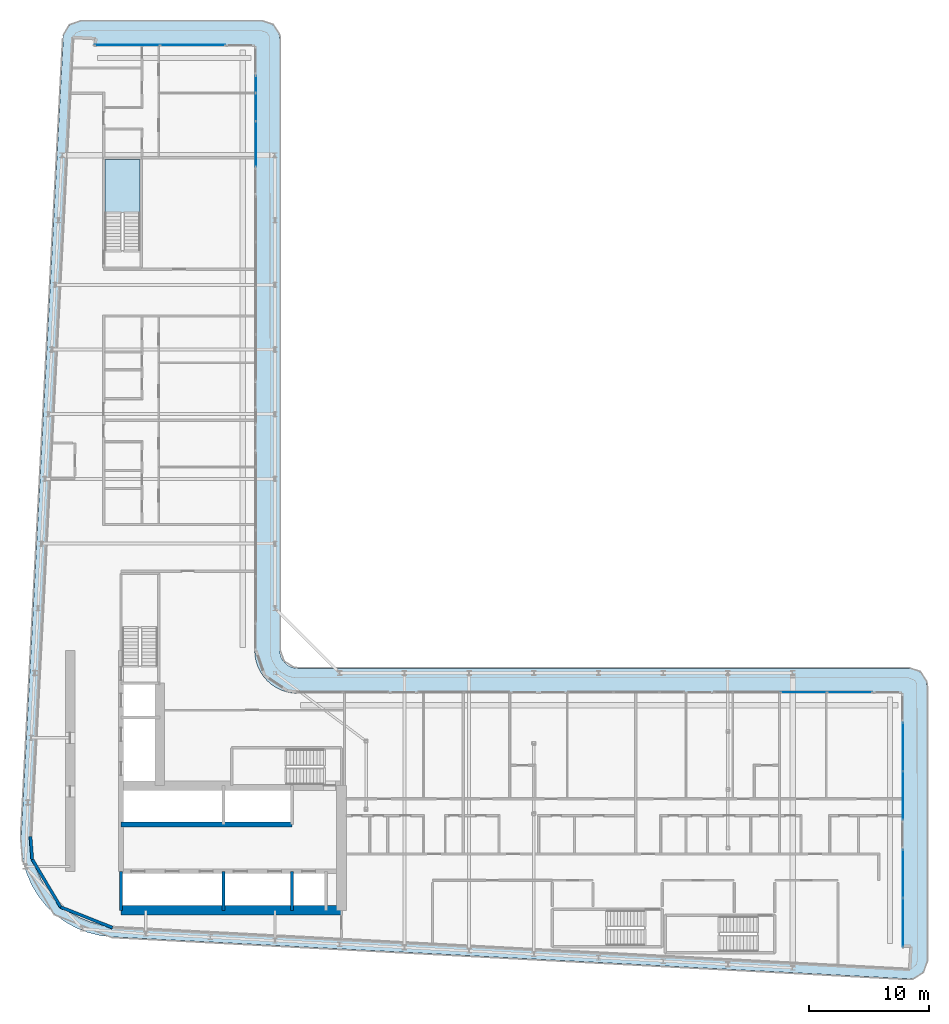
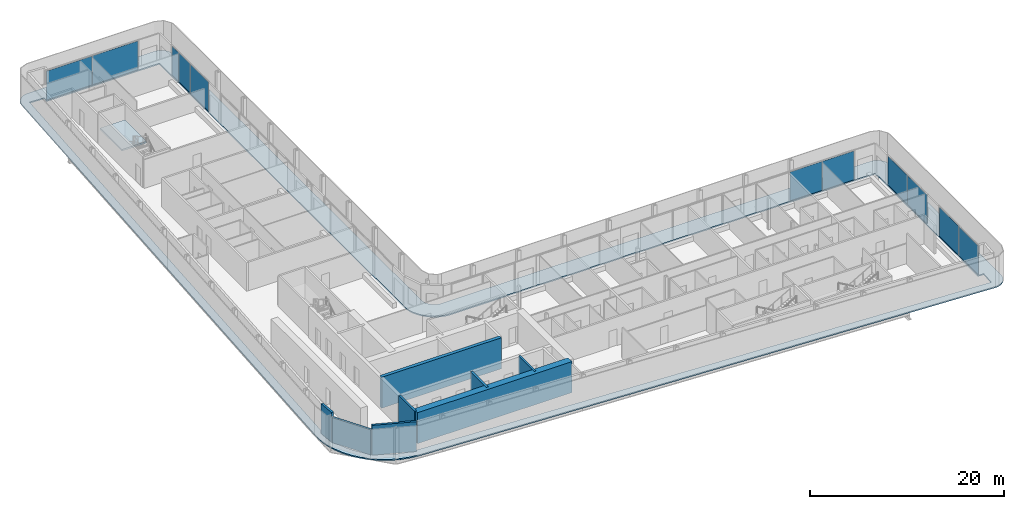
# One storey, part 14 of 29: 11 plates, 8 walls, 2 slabs, 6 elements without a shape of their own.
"""IFC4 building model written with IfcOpenShell, lengths in metres."""

from ifc_helpers import new_model, si_unit, direction, frame, frame_2d, origin, origin_2d, place, context, subcontext, project, spatial, polyline, rectangle, outline, extrude, material, layer, layer_set, type_object, element, aggregate, save


model = new_model("IFC4")

# Units and contexts
model_context = context("Model", 3, precision=1e-05, world=origin(), true_north=direction((0.0, 1.0)))
body_context = subcontext(model_context, "Body", "Model", "MODEL_VIEW")
ifc_project = project(units=[si_unit("LENGTHUNIT", "METRE"), si_unit("AREAUNIT", "SQUARE_METRE"), si_unit("VOLUMEUNIT", "CUBIC_METRE"), si_unit("PLANEANGLEUNIT", "RADIAN"), si_unit("MASSUNIT", "GRAM", prefix="KILO")], contexts=[model_context])

# Site, building, storey
site_placement = place(None, origin())
site = spatial("IfcSite", under=ifc_project, at=site_placement, CompositionType="ELEMENT")
building_placement = place(site_placement, origin())
building = spatial("IfcBuilding", under=site, at=building_placement, Name="Kheshtan School and Residences Tower", CompositionType="ELEMENT")
storey_placement = place(building_placement, frame((0.0, 0.0, 179.89990234375)))
storey = spatial("IfcBuildingStorey", under=building, at=storey_placement, Name="L42", CompositionType="ELEMENT", Elevation=179.89990234375)

# Curtain wall, plates
ifc_material_1 = material(Name="Clear low-e glass in thermally broken aluminium frame", Category="aluminium")
ifc_layer_1 = layer(ifc_material_1, 0.199951171875)
ifc_layer_set_1 = layer_set([ifc_layer_1], Name="Curtain wall CW-L")
curtain_wall_type = type_object("IfcCurtainWallType", Name="Curtain wall CW-L", PredefinedType="NOTDEFINED", material=ifc_layer_set_1)
curtain_wall_1_placement = place(storey_placement, origin())
curtain_wall_1 = element("IfcCurtainWall", 1, at=curtain_wall_1_placement, inside=storey, type_object=curtain_wall_type, Name="Curtain wall CWL7", PredefinedType="NOTDEFINED")
ifc_layer_2 = layer(ifc_material_1, 0.031982421875)
ifc_layer_set_2 = layer_set([ifc_layer_2], Name="CW-L glass panel")
plate_type = type_object("IfcPlateType", Name="CW-L glass panel", PredefinedType="CURTAIN_PANEL", material=ifc_layer_set_2)
plate_1_placement = place(storey_placement, frame((35.259033203125, 98.0, 0.000244140625), z_axis=(0.0, 0.0, 1.0), x_axis=(1.0, 0.0, 0.0)))
plate_1 = element("IfcPlate", 2, at=plate_1_placement, type_object=plate_type, Name="CWL7 panel 1.1", PredefinedType="CURTAIN_PANEL", context=body_context, shape_type="SweptSolid", body=[
    extrude(rectangle(XDim=5.4140625, YDim=0.031982421875, at=origin_2d()), origin(), (0.0, 0.0, 1.0), 3.6298828125),
])
plate_2_placement = place(storey_placement, frame((40.73291015625, 98.0, 0.000244140625), z_axis=(0.0, 0.0, 1.0), x_axis=(1.0, 0.0, 0.0)))
plate_2 = element("IfcPlate", 3, at=plate_2_placement, type_object=plate_type, Name="CWL7 panel 2.1", PredefinedType="CURTAIN_PANEL", context=body_context, shape_type="SweptSolid", body=[
    extrude(rectangle(XDim=5.4140625, YDim=0.031982421875, at=origin_2d()), origin(), (0.0, 0.0, 1.0), 3.6298828125),
])
aggregate(curtain_wall_1, [plate_1, plate_2])

curtain_wall_2_placement = place(storey_placement, origin())
curtain_wall_2 = element("IfcCurtainWall", 4, at=curtain_wall_2_placement, inside=storey, type_object=curtain_wall_type, Name="Curtain wall CWL8c", PredefinedType="NOTDEFINED")
plate_3_placement = place(storey_placement, frame((46.0, 94.735107421875, 0.000244140625), z_axis=(0.0, 0.0, 1.0), x_axis=(0.0, -1.0, 0.0)))
plate_3 = element("IfcPlate", 5, at=plate_3_placement, type_object=plate_type, Name="CWL8c panel 1.1", PredefinedType="CURTAIN_PANEL", context=body_context, shape_type="SweptSolid", body=[
    extrude(rectangle(XDim=1.409912109375, YDim=0.031982421875, at=origin_2d()), origin(), (0.0, 0.0, 1.0), 3.6298828125),
])
plate_4_placement = place(storey_placement, frame((46.0, 92.826416015625, 0.000244140625), z_axis=(0.0, 0.0, 1.0), x_axis=(0.0, -1.0, 0.0)))
plate_4 = element("IfcPlate", 6, at=plate_4_placement, type_object=plate_type, Name="CWL8c panel 2.1", PredefinedType="CURTAIN_PANEL", context=body_context, shape_type="SweptSolid", body=[
    extrude(rectangle(XDim=2.287109375, YDim=0.031982421875, at=origin_2d()), origin(), (0.0, 0.0, 1.0), 3.6298828125),
])
plate_5_placement = place(storey_placement, frame((46.0, 89.744384765625, 0.000244140625), z_axis=(0.0, 0.0, 1.0), x_axis=(0.0, -1.0, 0.0)))
plate_5 = element("IfcPlate", 7, at=plate_5_placement, type_object=plate_type, Name="CWL8c panel 3.1", PredefinedType="CURTAIN_PANEL", context=body_context, shape_type="SweptSolid", body=[
    extrude(rectangle(XDim=3.757080078125, YDim=0.031982421875, at=origin_2d()), origin(), (0.0, 0.0, 1.0), 3.6298828125),
])
aggregate(curtain_wall_2, [plate_3, plate_4, plate_5])

curtain_wall_3_placement = place(storey_placement, origin())
curtain_wall_3 = element("IfcCurtainWall", 8, at=curtain_wall_3_placement, inside=storey, type_object=curtain_wall_type, Name="Curtain wall CWL12j", PredefinedType="NOTDEFINED")
plate_6_placement = place(storey_placement, frame((91.714599609375, 44.0, 0.000244140625), z_axis=(0.0, 0.0, 1.0), x_axis=(1.0, 0.0, 0.0)))
plate_6 = element("IfcPlate", 9, at=plate_6_placement, type_object=plate_type, Name="CWL12j panel 1.1", PredefinedType="CURTAIN_PANEL", context=body_context, shape_type="SweptSolid", body=[
    extrude(rectangle(XDim=3.81689453125, YDim=0.031982421875, at=origin_2d()), origin(), (0.0, 0.0, 1.0), 3.6298828125),
])
plate_7_placement = place(storey_placement, frame((95.5615234375, 44.0, 0.000244140625), z_axis=(0.0, 0.0, 1.0), x_axis=(1.0, 0.0, 0.0)))
plate_7 = element("IfcPlate", 10, at=plate_7_placement, type_object=plate_type, Name="CWL12j panel 2.1", PredefinedType="CURTAIN_PANEL", context=body_context, shape_type="SweptSolid", body=[
    extrude(rectangle(XDim=3.757080078125, YDim=0.031982421875, at=origin_2d()), origin(), (0.0, 0.0, 1.0), 3.6298828125),
])
aggregate(curtain_wall_3, [plate_6, plate_7])

curtain_wall_4_placement = place(storey_placement, origin())
curtain_wall_4 = element("IfcCurtainWall", 11, at=curtain_wall_4_placement, inside=storey, type_object=curtain_wall_type, Name="Curtain wall CWL13b", PredefinedType="NOTDEFINED")
plate_8_placement = place(storey_placement, frame((100.0, 39.436767578125, 0.000244140625), z_axis=(0.0, 0.0, 1.0), x_axis=(0.0, -1.0, 0.0)))
plate_8 = element("IfcPlate", 12, at=plate_8_placement, type_object=plate_type, Name="CWL13b panel 1.1", PredefinedType="CURTAIN_PANEL", context=body_context, shape_type="SweptSolid", body=[
    extrude(rectangle(XDim=4.006591796875, YDim=0.031982421875, at=origin_2d()), origin(), (0.0, 0.0, 1.0), 3.6298828125),
])
plate_9_placement = place(storey_placement, frame((100.0, 35.370361328125, 0.000244140625), z_axis=(0.0, 0.0, 1.0), x_axis=(0.0, -1.0, 0.0)))
plate_9 = element("IfcPlate", 13, at=plate_9_placement, type_object=plate_type, Name="CWL13b panel 2.1", PredefinedType="CURTAIN_PANEL", context=body_context, shape_type="SweptSolid", body=[
    extrude(rectangle(XDim=4.006591796875, YDim=0.031982421875, at=origin_2d()), origin(), (0.0, 0.0, 1.0), 3.6298828125),
])
aggregate(curtain_wall_4, [plate_8, plate_9])

curtain_wall_5_placement = place(storey_placement, origin())
curtain_wall_5 = element("IfcCurtainWall", 14, at=curtain_wall_5_placement, inside=storey, type_object=curtain_wall_type, Name="Curtain wall CWL13b", PredefinedType="NOTDEFINED")
plate_10_placement = place(storey_placement, frame((100.0, 28.84375, 0.000244140625), z_axis=(0.0, 0.0, 1.0), x_axis=(0.0, -1.0, 0.0)))
plate_10 = element("IfcPlate", 15, at=plate_10_placement, type_object=plate_type, Name="CWL13b panel 1.1", PredefinedType="CURTAIN_PANEL", context=body_context, shape_type="SweptSolid", body=[
    extrude(rectangle(XDim=4.006591796875, YDim=0.031982421875, at=origin_2d()), origin(), (0.0, 0.0, 1.0), 3.6298828125),
])
plate_11_placement = place(storey_placement, frame((100.0, 24.77734375, 0.000244140625), z_axis=(0.0, 0.0, 1.0), x_axis=(0.0, -1.0, 0.0)))
plate_11 = element("IfcPlate", 16, at=plate_11_placement, type_object=plate_type, Name="CWL13b panel 2.1", PredefinedType="CURTAIN_PANEL", context=body_context, shape_type="SweptSolid", body=[
    extrude(rectangle(XDim=4.006591796875, YDim=0.031982421875, at=origin_2d()), origin(), (0.0, 0.0, 1.0), 3.6298828125),
])
aggregate(curtain_wall_5, [plate_10, plate_11])

# Slab
ifc_material_2 = material(Name="Concrete C40/50", Category="concrete")
ifc_layer_3 = layer(ifc_material_2, 0.14990234375)
ifc_layer_set_3 = layer_set([ifc_layer_3], Name="Loggia balcony slab 150 Concrete C40/50")
slab_type_1 = type_object("IfcSlabType", Name="Loggia balcony slab 150 Concrete C40/50", PredefinedType="FLOOR", material=ifc_layer_set_3)
slab_1_placement = place(storey_placement, frame((0.0, 0.0, -0.14990234375)))
element("IfcSlab", 17, at=slab_1_placement, inside=storey, type_object=slab_type_1, Name="Loggia balcony slab L42", PredefinedType="FLOOR", context=body_context, shape_type="SweptSolid", body=[
    extrude(outline(polyline([(28.4580078125, 26.222900390625), (28.45703125, 26.222900390625), (28.45703125, 26.22412109375), (28.4560546875, 26.22412109375), (27.81494140625, 27.0390625), (27.281005859375, 27.93798828125), (26.867919921875, 28.89990234375), (26.583984375, 29.89990234375), (26.583984375, 29.906982421875), (26.43408203125, 30.943115234375), (26.419921875, 31.989013671875), (29.925048828125, 98.5791015625), (29.930908203125, 98.626953125), (29.930908203125, 98.6279296875), (29.929931640625, 98.6279296875), (29.929931640625, 98.62890625), (29.928955078125, 98.62890625), (29.928955078125, 98.6298828125), (29.927978515625, 98.6298828125), (29.927978515625, 98.631103515625), (29.927001953125, 98.631103515625), (29.927001953125, 98.632080078125), (29.927001953125, 98.633056640625), (29.945068359375, 98.781005859375), (29.945068359375, 98.783935546875), (29.945068359375, 98.784912109375), (29.946044921875, 98.784912109375), (29.946044921875, 98.785888671875), (29.947021484375, 98.785888671875), (29.947021484375, 98.787109375), (29.947998046875, 98.787109375), (29.948974609375, 98.787109375), (29.948974609375, 98.7880859375), (29.949951171875, 98.7880859375), (29.949951171875, 98.7890625), (29.949951171875, 98.791015625), (30.0029296875, 98.98388671875), (30.083984375, 99.175048828125), (30.18896484375, 99.35302734375), (30.31103515625, 99.507080078125), (30.31201171875, 99.507080078125), (30.31201171875, 99.508056640625), (30.31298828125, 99.508056640625), (30.31298828125, 99.509033203125), (30.31396484375, 99.509033203125), (30.31396484375, 99.510009765625), (30.31494140625, 99.510009765625), (30.31494140625, 99.510986328125), (30.31591796875, 99.510986328125), (30.31591796875, 99.511962890625), (30.31689453125, 99.511962890625), (30.31689453125, 99.512939453125), (30.318115234375, 99.512939453125), (30.320068359375, 99.512939453125), (30.321044921875, 99.512939453125), (30.321044921875, 99.513916015625), (30.468017578125, 99.656982421875), (30.468994140625, 99.656982421875), (30.468994140625, 99.657958984375), (30.469970703125, 99.657958984375), (30.469970703125, 99.658935546875), (30.470947265625, 99.658935546875), (30.470947265625, 99.659912109375), (30.471923828125, 99.659912109375), (30.471923828125, 99.660888671875), (30.472900390625, 99.660888671875), (30.472900390625, 99.662109375), (30.47412109375, 99.662109375), (30.47412109375, 99.6630859375), (30.47509765625, 99.6630859375), (30.47509765625, 99.6640625), (30.635986328125, 99.777099609375), (30.820068359375, 99.873046875), (31.007080078125, 99.943115234375), (31.013916015625, 99.943115234375), (31.217041015625, 99.986083984375), (31.423095703125, 100.0), (46.5, 100.0), (46.696044921875, 99.987060546875), (46.887939453125, 99.948974609375), (46.89501953125, 99.948974609375), (47.073974609375, 99.885986328125), (47.243896484375, 99.801025390625), (47.2451171875, 99.801025390625), (47.2470703125, 99.801025390625), (47.248046875, 99.801025390625), (47.248046875, 99.802001953125), (47.2490234375, 99.802001953125), (47.2490234375, 99.802978515625), (47.25, 99.802978515625), (47.2529296875, 99.802978515625), (47.25390625, 99.802978515625), (47.25390625, 99.802001953125), (47.2548828125, 99.802001953125), (47.2548828125, 99.801025390625), (47.256103515625, 99.801025390625), (47.256103515625, 99.800048828125), (47.257080078125, 99.800048828125), (47.257080078125, 99.799072265625), (47.258056640625, 99.799072265625), (47.258056640625, 99.798095703125), (47.412109375, 99.696044921875), (47.4130859375, 99.696044921875), (47.4130859375, 99.695068359375), (47.4140625, 99.695068359375), (47.4140625, 99.694091796875), (47.4140625, 99.68994140625), (47.4140625, 99.68896484375), (47.4150390625, 99.68896484375), (47.4150390625, 99.68798828125), (47.416015625, 99.68798828125), (47.416015625, 99.68701171875), (47.4169921875, 99.68701171875), (47.4169921875, 99.68603515625), (47.554931640625, 99.568115234375), (47.554931640625, 99.56689453125), (47.555908203125, 99.56689453125), (47.555908203125, 99.56591796875), (47.556884765625, 99.56591796875), (47.556884765625, 99.56494140625), (47.55810546875, 99.56494140625), (47.55810546875, 99.56396484375), (47.55908203125, 99.56396484375), (47.55908203125, 99.56298828125), (47.56005859375, 99.56298828125), (47.56005859375, 99.56201171875), (47.56103515625, 99.56201171875), (47.56201171875, 99.56103515625), (47.56201171875, 99.56005859375), (47.56298828125, 99.56005859375), (47.56298828125, 99.55908203125), (47.56396484375, 99.55908203125), (47.56396484375, 99.55810546875), (47.56494140625, 99.55810546875), (47.56494140625, 99.556884765625), (47.56591796875, 99.556884765625), (47.56591796875, 99.555908203125), (47.56689453125, 99.555908203125), (47.56689453125, 99.554931640625), (47.568115234375, 99.554931640625), (47.68505859375, 99.41796875), (47.68603515625, 99.41796875), (47.68603515625, 99.4169921875), (47.68701171875, 99.4169921875), (47.68701171875, 99.416015625), (47.68798828125, 99.416015625), (47.68798828125, 99.4150390625), (47.68896484375, 99.4150390625), (47.68896484375, 99.4140625), (47.68994140625, 99.4140625), (47.694091796875, 99.4140625), (47.695068359375, 99.4140625), (47.695068359375, 99.4130859375), (47.696044921875, 99.4130859375), (47.696044921875, 99.412109375), (47.797119140625, 99.259033203125), (47.798095703125, 99.259033203125), (47.798095703125, 99.258056640625), (47.799072265625, 99.258056640625), (47.799072265625, 99.257080078125), (47.800048828125, 99.257080078125), (47.800048828125, 99.256103515625), (47.801025390625, 99.256103515625), (47.801025390625, 99.2548828125), (47.802001953125, 99.2548828125), (47.802001953125, 99.25390625), (47.802978515625, 99.25390625), (47.802978515625, 99.2529296875), (47.802978515625, 99.25), (47.802978515625, 99.2490234375), (47.802001953125, 99.2490234375), (47.802001953125, 99.248046875), (47.801025390625, 99.248046875), (47.801025390625, 99.2470703125), (47.801025390625, 99.243896484375), (47.801025390625, 99.242919921875), (47.885986328125, 99.073974609375), (47.948974609375, 98.89501953125), (47.948974609375, 98.887939453125), (47.987060546875, 98.696044921875), (48.0, 98.5), (48.0, 47.5), (48.012939453125, 47.303955078125), (48.051025390625, 47.113037109375), (48.051025390625, 47.10693359375), (48.051025390625, 47.10595703125), (48.114013671875, 46.926025390625), (48.200927734375, 46.75), (48.31005859375, 46.5869140625), (48.431884765625, 46.444091796875), (48.43310546875, 46.444091796875), (48.43310546875, 46.443115234375), (48.43408203125, 46.443115234375), (48.43408203125, 46.44189453125), (48.43505859375, 46.44189453125), (48.43505859375, 46.44091796875), (48.43603515625, 46.44091796875), (48.43603515625, 46.43994140625), (48.43701171875, 46.43994140625), (48.43701171875, 46.43896484375), (48.43798828125, 46.43896484375), (48.43896484375, 46.43798828125), (48.43896484375, 46.43701171875), (48.43994140625, 46.43701171875), (48.43994140625, 46.43603515625), (48.44091796875, 46.43603515625), (48.44091796875, 46.43505859375), (48.44189453125, 46.43505859375), (48.44189453125, 46.43408203125), (48.443115234375, 46.43408203125), (48.443115234375, 46.43310546875), (48.444091796875, 46.43310546875), (48.444091796875, 46.431884765625), (48.5869140625, 46.31005859375), (48.75, 46.200927734375), (48.926025390625, 46.114013671875), (49.10595703125, 46.051025390625), (49.10693359375, 46.051025390625), (49.113037109375, 46.051025390625), (49.303955078125, 46.012939453125), (49.5, 46.0), (100.5, 46.0), (100.696044921875, 45.987060546875), (100.887939453125, 45.948974609375), (100.89501953125, 45.948974609375), (101.073974609375, 45.885986328125), (101.241943359375, 45.801025390625), (101.242919921875, 45.801025390625), (101.2470703125, 45.801025390625), (101.248046875, 45.801025390625), (101.248046875, 45.802001953125), (101.2490234375, 45.802001953125), (101.2490234375, 45.802978515625), (101.25, 45.802978515625), (101.2529296875, 45.802978515625), (101.25390625, 45.802978515625), (101.25390625, 45.802001953125), (101.2548828125, 45.802001953125), (101.2548828125, 45.801025390625), (101.256103515625, 45.801025390625), (101.256103515625, 45.800048828125), (101.257080078125, 45.800048828125), (101.257080078125, 45.799072265625), (101.258056640625, 45.799072265625), (101.258056640625, 45.798095703125), (101.259033203125, 45.798095703125), (101.259033203125, 45.797119140625), (101.260009765625, 45.797119140625), (101.260009765625, 45.7958984375), (101.412109375, 45.696044921875), (101.4130859375, 45.696044921875), (101.4130859375, 45.695068359375), (101.4140625, 45.695068359375), (101.4140625, 45.694091796875), (101.4140625, 45.68994140625), (101.4140625, 45.68896484375), (101.4150390625, 45.68896484375), (101.4150390625, 45.68798828125), (101.416015625, 45.68798828125), (101.416015625, 45.68701171875), (101.4169921875, 45.68701171875), (101.4169921875, 45.68603515625), (101.41796875, 45.68603515625), (101.41796875, 45.68505859375), (101.4189453125, 45.68505859375), (101.4189453125, 45.68408203125), (101.554931640625, 45.568115234375), (101.554931640625, 45.56689453125), (101.555908203125, 45.56689453125), (101.555908203125, 45.56591796875), (101.556884765625, 45.56591796875), (101.556884765625, 45.56494140625), (101.55810546875, 45.56494140625), (101.55810546875, 45.56396484375), (101.55908203125, 45.56396484375), (101.55908203125, 45.56298828125), (101.56005859375, 45.56298828125), (101.56005859375, 45.56201171875), (101.56103515625, 45.56201171875), (101.56201171875, 45.56103515625), (101.56201171875, 45.56005859375), (101.56298828125, 45.56005859375), (101.56298828125, 45.55908203125), (101.56396484375, 45.55908203125), (101.56396484375, 45.55810546875), (101.56494140625, 45.55810546875), (101.56494140625, 45.556884765625), (101.56591796875, 45.556884765625), (101.56591796875, 45.555908203125), (101.56689453125, 45.555908203125), (101.56689453125, 45.554931640625), (101.568115234375, 45.554931640625), (101.681884765625, 45.4208984375), (101.68310546875, 45.4208984375), (101.68310546875, 45.419921875), (101.68408203125, 45.419921875), (101.68408203125, 45.4189453125), (101.68505859375, 45.4189453125), (101.68505859375, 45.41796875), (101.68603515625, 45.41796875), (101.68603515625, 45.4169921875), (101.68701171875, 45.4169921875), (101.68701171875, 45.416015625), (101.68798828125, 45.416015625), (101.68798828125, 45.4150390625), (101.68896484375, 45.4150390625), (101.68896484375, 45.4140625), (101.68994140625, 45.4140625), (101.694091796875, 45.4140625), (101.695068359375, 45.4140625), (101.695068359375, 45.4130859375), (101.696044921875, 45.4130859375), (101.696044921875, 45.412109375), (101.7939453125, 45.261962890625), (101.794921875, 45.261962890625), (101.794921875, 45.260986328125), (101.7958984375, 45.260986328125), (101.7958984375, 45.260009765625), (101.797119140625, 45.260009765625), (101.797119140625, 45.259033203125), (101.798095703125, 45.259033203125), (101.798095703125, 45.258056640625), (101.799072265625, 45.258056640625), (101.799072265625, 45.257080078125), (101.800048828125, 45.257080078125), (101.800048828125, 45.256103515625), (101.801025390625, 45.256103515625), (101.801025390625, 45.2548828125), (101.802001953125, 45.2548828125), (101.802001953125, 45.25390625), (101.802978515625, 45.25390625), (101.802978515625, 45.2529296875), (101.802978515625, 45.25), (101.802978515625, 45.2490234375), (101.802001953125, 45.2490234375), (101.802001953125, 45.248046875), (101.801025390625, 45.248046875), (101.801025390625, 45.2470703125), (101.801025390625, 45.240966796875), (101.801025390625, 45.239990234375), (101.885986328125, 45.073974609375), (101.948974609375, 44.89501953125), (101.948974609375, 44.887939453125), (101.987060546875, 44.696044921875), (102.0, 44.5), (102.0, 21.5810546875), (101.986083984375, 21.37890625), (101.945068359375, 21.179931640625), (101.945068359375, 21.173095703125), (101.8779296875, 20.989013671875), (101.785888671875, 20.80810546875), (101.6708984375, 20.64306640625), (101.6708984375, 20.64208984375), (101.6708984375, 20.64111328125), (101.6708984375, 20.639892578125), (101.672119140625, 20.639892578125), (101.672119140625, 20.638916015625), (101.672119140625, 20.636962890625), (101.672119140625, 20.635986328125), (101.6708984375, 20.635986328125), (101.6708984375, 20.635009765625), (101.5380859375, 20.491943359375), (101.534912109375, 20.489013671875), (101.533935546875, 20.489013671875), (101.533935546875, 20.488037109375), (101.532958984375, 20.488037109375), (101.531005859375, 20.488037109375), (101.530029296875, 20.488037109375), (101.530029296875, 20.489013671875), (101.529052734375, 20.489013671875), (101.528076171875, 20.489013671875), (101.527099609375, 20.489013671875), (101.3759765625, 20.364013671875), (101.2041015625, 20.256103515625), (101.01904296875, 20.174072265625), (100.8310546875, 20.116943359375), (100.823974609375, 20.116943359375), (100.6240234375, 20.0859375), (100.4208984375, 20.0830078125), (33.989013671875, 23.580078125), (33.94189453125, 23.5859375), (33.94091796875, 23.5859375), (33.93994140625, 23.5859375), (33.93994140625, 23.5849609375), (33.93896484375, 23.5849609375), (33.93896484375, 23.583984375), (33.93798828125, 23.583984375), (33.93798828125, 23.5830078125), (33.93701171875, 23.5830078125), (33.93701171875, 23.58203125), (33.93603515625, 23.58203125), (33.93505859375, 23.58203125), (32.952880859375, 23.697998046875), (32.949951171875, 23.697998046875), (32.948974609375, 23.697998046875), (32.948974609375, 23.698974609375), (32.947998046875, 23.698974609375), (32.947998046875, 23.699951171875), (32.947021484375, 23.699951171875), (32.947021484375, 23.700927734375), (32.947021484375, 23.702880859375), (32.947021484375, 23.7041015625), (32.946044921875, 23.7041015625), (32.946044921875, 23.705078125), (32.945068359375, 23.705078125), (32.944091796875, 23.705078125), (31.93603515625, 23.9609375), (31.928955078125, 23.9609375), (30.964111328125, 24.34912109375), (30.051025390625, 24.860107421875), (29.218994140625, 25.47900390625), (29.218994140625, 25.47998046875), (29.218017578125, 25.47998046875), (29.218017578125, 25.48095703125), (29.217041015625, 25.48095703125), (29.217041015625, 25.48193359375), (29.216064453125, 25.48193359375), (29.216064453125, 25.48291015625), (29.215087890625, 25.48291015625), (29.215087890625, 25.48388671875), (29.214111328125, 25.48388671875), (29.214111328125, 25.485107421875), (29.212890625, 25.485107421875), (29.212890625, 25.486083984375), (29.2119140625, 25.486083984375), (28.466064453125, 26.217041015625), (28.466064453125, 26.218017578125), (28.465087890625, 26.218017578125), (28.462890625, 26.218017578125), (28.4619140625, 26.218017578125), (28.4619140625, 26.218994140625), (28.4609375, 26.218994140625), (28.4609375, 26.219970703125), (28.4599609375, 26.219970703125), (28.4599609375, 26.220947265625), (28.458984375, 26.220947265625), (28.458984375, 26.221923828125), (28.4580078125, 26.221923828125), (28.4580078125, 26.222900390625)]), holes=[polyline([(29.12890625, 26.824951171875), (29.12890625, 26.823974609375), (29.1298828125, 26.823974609375), (29.1298828125, 26.822998046875), (29.131103515625, 26.822998046875), (29.131103515625, 26.822021484375), (29.132080078125, 26.822021484375), (29.132080078125, 26.821044921875), (29.133056640625, 26.821044921875), (29.133056640625, 26.820068359375), (29.134033203125, 26.820068359375), (29.7958984375, 26.173095703125), (29.7958984375, 26.172119140625), (29.797119140625, 26.172119140625), (29.798095703125, 26.172119140625), (29.799072265625, 26.172119140625), (29.799072265625, 26.1708984375), (29.800048828125, 26.1708984375), (29.800048828125, 26.169921875), (29.801025390625, 26.169921875), (29.801025390625, 26.1689453125), (29.802001953125, 26.1689453125), (29.802001953125, 26.16796875), (29.802978515625, 26.16796875), (29.802978515625, 26.1669921875), (29.803955078125, 26.1669921875), (29.803955078125, 26.166015625), (30.541015625, 25.616943359375), (31.35205078125, 25.1630859375), (32.208984375, 24.819091796875), (32.2099609375, 24.819091796875), (32.216064453125, 24.819091796875), (33.114990234375, 24.590087890625), (34.06591796875, 24.47705078125), (100.43798828125, 20.98291015625), (100.465087890625, 20.98388671875), (100.466064453125, 20.98388671875), (100.467041015625, 20.98388671875), (100.467041015625, 20.985107421875), (100.468017578125, 20.985107421875), (100.468017578125, 20.986083984375), (100.468017578125, 20.987060546875), (100.55810546875, 22.676025390625), (100.55810546875, 22.677001953125), (100.55810546875, 22.677978515625), (100.556884765625, 22.677978515625), (100.556884765625, 22.678955078125), (100.555908203125, 22.678955078125), (100.554931640625, 22.678955078125), (99.90087890625, 22.714111328125), (99.89990234375, 22.714111328125), (99.89990234375, 22.715087890625), (99.89990234375, 43.89794921875), (99.89990234375, 43.89892578125), (99.89892578125, 43.89892578125), (99.89892578125, 43.89990234375), (99.89794921875, 43.89990234375), (49.429931640625, 43.89990234375), (49.030029296875, 43.927001953125), (48.569091796875, 44.01806640625), (48.56201171875, 44.01806640625), (48.1201171875, 44.169921875), (47.697021484375, 44.37890625), (47.30810546875, 44.638916015625), (46.95703125, 44.944091796875), (46.95703125, 44.945068359375), (46.9560546875, 44.945068359375), (46.9560546875, 44.946044921875), (46.955078125, 44.946044921875), (46.955078125, 44.947021484375), (46.9541015625, 44.947021484375), (46.9541015625, 44.947998046875), (46.952880859375, 44.947998046875), (46.952880859375, 44.948974609375), (46.951904296875, 44.948974609375), (46.951904296875, 44.949951171875), (46.951904296875, 44.950927734375), (46.950927734375, 44.950927734375), (46.950927734375, 44.951904296875), (46.949951171875, 44.951904296875), (46.948974609375, 44.951904296875), (46.948974609375, 44.952880859375), (46.947998046875, 44.952880859375), (46.947998046875, 44.9541015625), (46.947021484375, 44.9541015625), (46.947021484375, 44.955078125), (46.946044921875, 44.955078125), (46.946044921875, 44.9560546875), (46.945068359375, 44.9560546875), (46.945068359375, 44.95703125), (46.944091796875, 44.95703125), (46.638916015625, 45.30810546875), (46.37890625, 45.697021484375), (46.169921875, 46.1201171875), (46.01806640625, 46.56201171875), (46.01806640625, 46.569091796875), (45.927001953125, 47.030029296875), (45.89990234375, 47.429931640625), (45.89990234375, 97.89794921875), (45.89990234375, 97.89892578125), (45.89892578125, 97.89892578125), (45.89892578125, 97.89990234375), (45.89794921875, 97.89990234375), (32.492919921875, 97.89990234375), (32.491943359375, 97.89990234375), (32.52099609375, 98.43896484375), (32.52099609375, 98.43994140625), (32.52099609375, 98.44091796875), (32.52001953125, 98.44091796875), (32.52001953125, 98.44189453125), (32.51904296875, 98.44189453125), (32.51806640625, 98.44189453125), (30.8291015625, 98.531982421875), (30.827880859375, 98.531982421875), (30.826904296875, 98.531982421875), (30.826904296875, 98.531005859375), (30.825927734375, 98.531005859375), (30.825927734375, 98.530029296875), (30.825927734375, 98.529052734375), (30.822021484375, 98.5009765625), (27.320068359375, 31.970947265625), (27.3330078125, 31.013916015625), (27.466064453125, 30.093994140625), (27.466064453125, 30.087890625), (27.466064453125, 30.0869140625), (27.718017578125, 29.200927734375), (28.0849609375, 28.345947265625), (28.55908203125, 27.550048828125), (29.126953125, 26.825927734375), (29.1279296875, 26.825927734375), (29.1279296875, 26.824951171875), (29.12890625, 26.824951171875)])]), origin(), (0.0, 0.0, 1.0), 0.14990234375),
])

# Stair, slab
stair_type = type_object("IfcStairType", Name="Exit stair, half-turn", PredefinedType="HALF_TURN_STAIR", material=ifc_material_2)
stair_placement = place(storey_placement, origin())
stair = element("IfcStair", 18, at=stair_placement, inside=storey, type_object=stair_type, Name="L42 Protected Exit Stair ST3", PredefinedType="HALF_TURN_STAIR")
ifc_layer_4 = layer(ifc_material_2, 0.199951171875)
ifc_layer_set_4 = layer_set([ifc_layer_4], Name="Stair landing 200 Concrete C40/50")
slab_type_2 = type_object("IfcSlabType", Name="Stair landing 200 Concrete C40/50", PredefinedType="LANDING", material=ifc_layer_set_4)
slab_2_placement = place(storey_placement, frame((0.0, 0.0, 1.75)))
slab_2 = element("IfcSlab", 19, at=slab_2_placement, type_object=slab_type_2, Name="ST3 landing 1", PredefinedType="LANDING", context=body_context, shape_type="SweptSolid", body=[
    extrude(outline(polyline([(36.35009765625, 83.97998046875), (36.35009765625, 88.4599609375), (33.39990234375, 88.4599609375), (33.39990234375, 83.97998046875), (36.35009765625, 83.97998046875)])), origin(), (0.0, 0.0, 1.0), 0.2001953125),
])
aggregate(stair, [slab_2])

# Walls
ifc_material_3 = material(Name="Concrete C50/60", Category="concrete")
ifc_layer_5 = layer(ifc_material_3, 0.39990234375)
ifc_layer_set_5 = layer_set([ifc_layer_5], Name="Core wall 400 Concrete C50/60")
wall_type_1 = type_object("IfcWallType", Name="Core wall 400 Concrete C50/60", PredefinedType="SHEAR", material=ifc_layer_set_5)
wall_1_placement = place(storey_placement, frame((34.75, 32.949951171875, 0.0), z_axis=(0.0, 0.0, 1.0), x_axis=(1.0, 0.0, 0.0)))
element("IfcWall", 20, at=wall_1_placement, inside=storey, type_object=wall_type_1, Name="Core wall CW-HALL-S2", PredefinedType="SHEAR", context=body_context, shape_type="SweptSolid", body=[
    extrude(rectangle(XDim=14.25, YDim=0.39990234375, at=frame_2d((7.125, 0.0))), origin(), (0.0, 0.0, 1.0), 3.900146484375),
])
ifc_material_4 = material(Name="Concrete C70/85", Category="concrete")
ifc_layer_6 = layer(ifc_material_4, 0.800048828125)
ifc_layer_set_6 = layer_set([ifc_layer_6], Name="Core wall 800 Concrete C70/85")
wall_type_2 = type_object("IfcWallType", Name="Core wall 800 Concrete C70/85", PredefinedType="SHEAR", material=ifc_layer_set_6)
wall_2_placement = place(storey_placement, frame((34.75, 25.800048828125, 0.0), z_axis=(0.0, 0.0, 1.0), x_axis=(1.0, 0.0, 0.0)))
element("IfcWall", 21, at=wall_2_placement, inside=storey, type_object=wall_type_2, Name="Core wall CW-REAR-S", PredefinedType="SHEAR", context=body_context, shape_type="SweptSolid", body=[
    extrude(rectangle(XDim=18.39990234375, YDim=0.800048828125, at=frame_2d((9.199951171875, 0.0))), origin(), (0.0, 0.0, 1.0), 3.900146484375),
])
ifc_material_5 = material(Name="Concrete C40/50 with ceramic cladding and mineral wool insulation", Category="concrete")
ifc_layer_7 = layer(ifc_material_5, 0.25)
ifc_layer_set_7 = layer_set([ifc_layer_7], Name="External wall 250 ceramic clad")
wall_type_3 = type_object("IfcWallType", Name="External wall 250 ceramic clad", PredefinedType="SOLIDWALL", material=ifc_layer_set_7)
wall_3_placement = place(storey_placement, frame((34.0390625, 24.35302734375, 0.0), z_axis=(0.0, 0.0, 1.0), x_axis=(-0.929352825399, 0.369192803184, 0.0)))
element("IfcWall", 22, at=wall_3_placement, inside=storey, type_object=wall_type_3, Name="External wall L42 1", PredefinedType="SOLIDWALL", context=body_context, shape_type="SweptSolid", body=[
    extrude(rectangle(XDim=4.656005859375, YDim=0.25, at=frame_2d((2.328125, 0.0))), origin(), (0.0, 0.0, 1.0), 3.75),
])
wall_4_placement = place(storey_placement, frame((29.7119140625, 26.072021484375, 0.0), z_axis=(0.0, 0.0, 1.0), x_axis=(-0.511028049012, 0.859564036662, 0.0)))
element("IfcWall", 23, at=wall_4_placement, inside=storey, type_object=wall_type_3, Name="External wall L42 2", PredefinedType="SOLIDWALL", context=body_context, shape_type="SweptSolid", body=[
    extrude(rectangle(XDim=4.633544921875, YDim=0.25, at=frame_2d((2.31689453125, 0.0))), origin(), (0.0, 0.0, 1.0), 3.147216796875),
])
wall_5_placement = place(storey_placement, frame((27.343994140625, 30.054931640625, 0.0), z_axis=(0.0, 0.0, 1.0), x_axis=(-0.077571675317, 0.99698677784, 0.0)))
element("IfcWall", 24, at=wall_5_placement, inside=storey, type_object=wall_type_3, Name="External wall L42 3", PredefinedType="SOLIDWALL", context=body_context, shape_type="SweptSolid", body=[
    extrude(rectangle(XDim=1.919921875, YDim=0.25, at=frame_2d((0.9599609375, 0.0))), origin(), (0.0, 0.0, 1.0), 3.75),
])
ifc_material_6 = material(Name="Fire-board shaft wall system")
ifc_layer_8 = layer(ifc_material_6, 0.25)
ifc_layer_set_8 = layer_set([ifc_layer_8], Name="Shaft lining wall 250")
wall_type_4 = type_object("IfcWallType", Name="Shaft lining wall 250", PredefinedType="PARTITIONING", material=ifc_layer_set_8)
for number, where, z_axis, x_axis, name in (
    (25, (34.75, 25.800048828125, 0.0), (0.0, 0.0, 1.0), (0.0, 1.0, 0.0), "Shaft lining wall"),
    (26, (43.300048828125, 25.800048828125, 0.0), (0.0, 0.0, 1.0), (0.0, 1.0, 0.0), "Shaft lining wall"),
    (27, (49.0, 25.800048828125, 0.0), (0.0, 0.0, 1.0), (0.0, 1.0, 0.0), "Shaft lining wall"),
):
    element("IfcWall", number, at=place(storey_placement, frame(where, z_axis=z_axis, x_axis=x_axis)), inside=storey, type_object=wall_type_4, Name=name, PredefinedType="PARTITIONING", context=body_context, shape_type="SweptSolid", body=[
        extrude(rectangle(XDim=3.25, YDim=0.25, at=frame_2d((1.625, 0.0))), origin(), (0.0, 0.0, 1.0), 3.900146484375),
    ])

save(model, "model.ifc")
